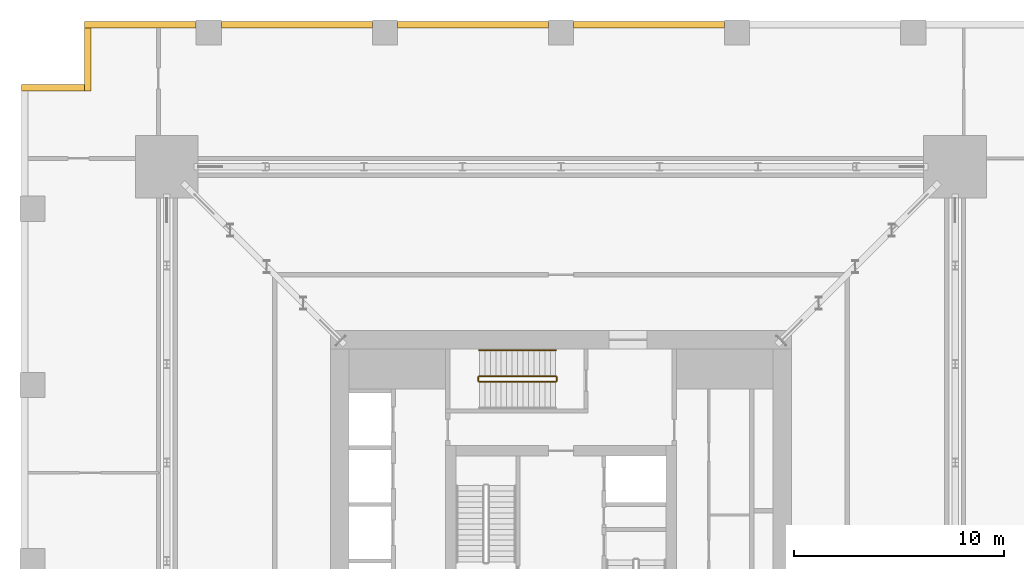
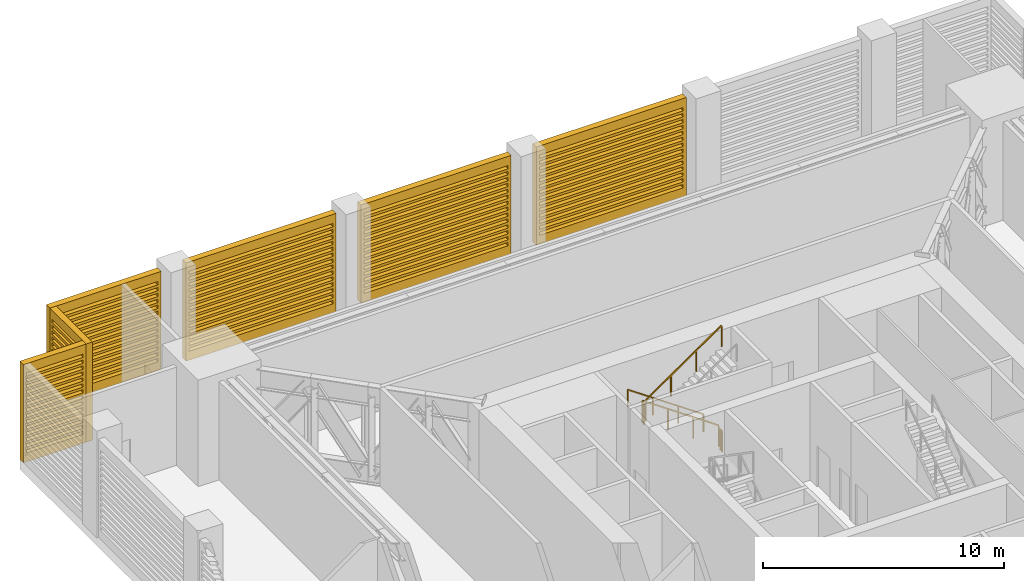
# One storey, part 16 of 17: 6 shading devices, 5 railings.
"""IFC4 building model written with IfcOpenShell, lengths in metres."""

from ifc_helpers import new_model, si_unit, direction, frame, origin, origin_2d, place, context, subcontext, project, spatial, polyline, rectangle, outline, extrude, material, type_object, element, save


model = new_model("IFC4")

# Units and contexts
model_context = context("Model", 3, precision=1e-05, world=origin(), true_north=direction((0.0, 1.0)))
body_context = subcontext(model_context, "Body", "Model", "MODEL_VIEW")
ifc_project = project(units=[si_unit("LENGTHUNIT", "METRE"), si_unit("AREAUNIT", "SQUARE_METRE"), si_unit("VOLUMEUNIT", "CUBIC_METRE"), si_unit("PLANEANGLEUNIT", "RADIAN"), si_unit("MASSUNIT", "GRAM", prefix="KILO")], contexts=[model_context])

# Site, building, storey
site_placement = place(None, origin())
site = spatial("IfcSite", under=ifc_project, at=site_placement, CompositionType="ELEMENT")
building_placement = place(site_placement, origin())
building = spatial("IfcBuilding", under=site, at=building_placement, Name="Khepri Terraces", CompositionType="ELEMENT")
storey_placement = place(building_placement, frame((0.0, 0.0, 73.800048828125)))
storey = spatial("IfcBuildingStorey", under=building, at=storey_placement, Name="L17", CompositionType="ELEMENT", Elevation=73.800048828125)

# Shading devices
ifc_material_1 = material(Name="Anodised aluminium bronze", Category="aluminium")
shading_device_type = type_object("IfcShadingDeviceType", Name="LVR-PLANT-300", PredefinedType="USERDEFINED", material=ifc_material_1)
shading_device_1_placement = place(storey_placement, frame((7.800048828125, 25.419921875, 0.0), z_axis=(0.0, 1.0, 0.0), x_axis=(-1.0, 0.0, 0.0)))
element("IfcShadingDevice", 1, at=shading_device_1_placement, inside=storey, type_object=shading_device_type, Name="Louvre wall L17 N", ObjectType="LOUVRE", PredefinedType="USERDEFINED", context=body_context, shape_type="SweptSolid", body=[
    extrude(outline(polyline([(0.0, 0.0), (7.199951171875, 0.0), (7.199951171875, 4.97998046875), (0.0, 4.97998046875), (0.0, 0.0)]), holes=[polyline([(0.14990234375, 0.449951171875), (7.050048828125, 0.449951171875), (7.050048828125, 0.6201171875), (0.14990234375, 0.6201171875), (0.14990234375, 0.449951171875)]), polyline([(0.14990234375, 0.75), (7.050048828125, 0.75), (7.050048828125, 0.919921875), (0.14990234375, 0.919921875), (0.14990234375, 0.75)]), polyline([(0.14990234375, 1.050048828125), (7.050048828125, 1.050048828125), (7.050048828125, 1.219970703125), (0.14990234375, 1.219970703125), (0.14990234375, 1.050048828125)]), polyline([(0.14990234375, 1.35009765625), (7.050048828125, 1.35009765625), (7.050048828125, 1.52001953125), (0.14990234375, 1.52001953125), (0.14990234375, 1.35009765625)]), polyline([(0.14990234375, 1.64990234375), (7.050048828125, 1.64990234375), (7.050048828125, 1.820068359375), (0.14990234375, 1.820068359375), (0.14990234375, 1.64990234375)]), polyline([(0.14990234375, 1.949951171875), (7.050048828125, 1.949951171875), (7.050048828125, 2.1201171875), (0.14990234375, 2.1201171875), (0.14990234375, 1.949951171875)]), polyline([(0.14990234375, 2.25), (7.050048828125, 2.25), (7.050048828125, 2.419921875), (0.14990234375, 2.419921875), (0.14990234375, 2.25)]), polyline([(0.14990234375, 2.550048828125), (7.050048828125, 2.550048828125), (7.050048828125, 2.719970703125), (0.14990234375, 2.719970703125), (0.14990234375, 2.550048828125)]), polyline([(0.14990234375, 2.85009765625), (7.050048828125, 2.85009765625), (7.050048828125, 3.02001953125), (0.14990234375, 3.02001953125), (0.14990234375, 2.85009765625)]), polyline([(0.14990234375, 3.14990234375), (7.050048828125, 3.14990234375), (7.050048828125, 3.320068359375), (0.14990234375, 3.320068359375), (0.14990234375, 3.14990234375)]), polyline([(0.14990234375, 3.449951171875), (7.050048828125, 3.449951171875), (7.050048828125, 3.6201171875), (0.14990234375, 3.6201171875), (0.14990234375, 3.449951171875)]), polyline([(0.14990234375, 3.75), (7.050048828125, 3.75), (7.050048828125, 3.919921875), (0.14990234375, 3.919921875), (0.14990234375, 3.75)]), polyline([(0.14990234375, 4.050048828125), (7.050048828125, 4.050048828125), (7.050048828125, 4.219970703125), (0.14990234375, 4.219970703125), (0.14990234375, 4.050048828125)]), polyline([(0.14990234375, 4.35009765625), (7.050048828125, 4.35009765625), (7.050048828125, 4.52001953125), (0.14990234375, 4.52001953125), (0.14990234375, 4.35009765625)])]), origin(), (0.0, 0.0, 1.0), 0.300048828125),
])
shading_device_2_placement = place(storey_placement, frame((-0.60009765625, 25.419921875, 0.0), z_axis=(0.0, 1.0, 0.0), x_axis=(-1.0, 0.0, 0.0)))
element("IfcShadingDevice", 2, at=shading_device_2_placement, inside=storey, type_object=shading_device_type, Name="Louvre wall L17 N", ObjectType="LOUVRE", PredefinedType="USERDEFINED", context=body_context, shape_type="SweptSolid", body=[
    extrude(outline(polyline([(0.0, 0.0), (7.199951171875, 0.0), (7.199951171875, 4.97998046875), (0.0, 4.97998046875), (0.0, 0.0)]), holes=[polyline([(0.14990234375, 0.449951171875), (7.050048828125, 0.449951171875), (7.050048828125, 0.6201171875), (0.14990234375, 0.6201171875), (0.14990234375, 0.449951171875)]), polyline([(0.14990234375, 0.75), (7.050048828125, 0.75), (7.050048828125, 0.919921875), (0.14990234375, 0.919921875), (0.14990234375, 0.75)]), polyline([(0.14990234375, 1.050048828125), (7.050048828125, 1.050048828125), (7.050048828125, 1.219970703125), (0.14990234375, 1.219970703125), (0.14990234375, 1.050048828125)]), polyline([(0.14990234375, 1.35009765625), (7.050048828125, 1.35009765625), (7.050048828125, 1.52001953125), (0.14990234375, 1.52001953125), (0.14990234375, 1.35009765625)]), polyline([(0.14990234375, 1.64990234375), (7.050048828125, 1.64990234375), (7.050048828125, 1.820068359375), (0.14990234375, 1.820068359375), (0.14990234375, 1.64990234375)]), polyline([(0.14990234375, 1.949951171875), (7.050048828125, 1.949951171875), (7.050048828125, 2.1201171875), (0.14990234375, 2.1201171875), (0.14990234375, 1.949951171875)]), polyline([(0.14990234375, 2.25), (7.050048828125, 2.25), (7.050048828125, 2.419921875), (0.14990234375, 2.419921875), (0.14990234375, 2.25)]), polyline([(0.14990234375, 2.550048828125), (7.050048828125, 2.550048828125), (7.050048828125, 2.719970703125), (0.14990234375, 2.719970703125), (0.14990234375, 2.550048828125)]), polyline([(0.14990234375, 2.85009765625), (7.050048828125, 2.85009765625), (7.050048828125, 3.02001953125), (0.14990234375, 3.02001953125), (0.14990234375, 2.85009765625)]), polyline([(0.14990234375, 3.14990234375), (7.050048828125, 3.14990234375), (7.050048828125, 3.320068359375), (0.14990234375, 3.320068359375), (0.14990234375, 3.14990234375)]), polyline([(0.14990234375, 3.449951171875), (7.050048828125, 3.449951171875), (7.050048828125, 3.6201171875), (0.14990234375, 3.6201171875), (0.14990234375, 3.449951171875)]), polyline([(0.14990234375, 3.75), (7.050048828125, 3.75), (7.050048828125, 3.919921875), (0.14990234375, 3.919921875), (0.14990234375, 3.75)]), polyline([(0.14990234375, 4.050048828125), (7.050048828125, 4.050048828125), (7.050048828125, 4.219970703125), (0.14990234375, 4.219970703125), (0.14990234375, 4.050048828125)]), polyline([(0.14990234375, 4.35009765625), (7.050048828125, 4.35009765625), (7.050048828125, 4.52001953125), (0.14990234375, 4.52001953125), (0.14990234375, 4.35009765625)])]), origin(), (0.0, 0.0, 1.0), 0.300048828125),
])
shading_device_3_placement = place(storey_placement, frame((-9.0, 25.419921875, 0.0), z_axis=(0.0, 1.0, 0.0), x_axis=(-1.0, 0.0, 0.0)))
element("IfcShadingDevice", 3, at=shading_device_3_placement, inside=storey, type_object=shading_device_type, Name="Louvre wall L17 N", ObjectType="LOUVRE", PredefinedType="USERDEFINED", context=body_context, shape_type="SweptSolid", body=[
    extrude(outline(polyline([(0.0, 0.0), (7.199951171875, 0.0), (7.199951171875, 4.97998046875), (0.0, 4.97998046875), (0.0, 0.0)]), holes=[polyline([(0.14990234375, 0.449951171875), (7.050048828125, 0.449951171875), (7.050048828125, 0.6201171875), (0.14990234375, 0.6201171875), (0.14990234375, 0.449951171875)]), polyline([(0.14990234375, 0.75), (7.050048828125, 0.75), (7.050048828125, 0.919921875), (0.14990234375, 0.919921875), (0.14990234375, 0.75)]), polyline([(0.14990234375, 1.050048828125), (7.050048828125, 1.050048828125), (7.050048828125, 1.219970703125), (0.14990234375, 1.219970703125), (0.14990234375, 1.050048828125)]), polyline([(0.14990234375, 1.35009765625), (7.050048828125, 1.35009765625), (7.050048828125, 1.52001953125), (0.14990234375, 1.52001953125), (0.14990234375, 1.35009765625)]), polyline([(0.14990234375, 1.64990234375), (7.050048828125, 1.64990234375), (7.050048828125, 1.820068359375), (0.14990234375, 1.820068359375), (0.14990234375, 1.64990234375)]), polyline([(0.14990234375, 1.949951171875), (7.050048828125, 1.949951171875), (7.050048828125, 2.1201171875), (0.14990234375, 2.1201171875), (0.14990234375, 1.949951171875)]), polyline([(0.14990234375, 2.25), (7.050048828125, 2.25), (7.050048828125, 2.419921875), (0.14990234375, 2.419921875), (0.14990234375, 2.25)]), polyline([(0.14990234375, 2.550048828125), (7.050048828125, 2.550048828125), (7.050048828125, 2.719970703125), (0.14990234375, 2.719970703125), (0.14990234375, 2.550048828125)]), polyline([(0.14990234375, 2.85009765625), (7.050048828125, 2.85009765625), (7.050048828125, 3.02001953125), (0.14990234375, 3.02001953125), (0.14990234375, 2.85009765625)]), polyline([(0.14990234375, 3.14990234375), (7.050048828125, 3.14990234375), (7.050048828125, 3.320068359375), (0.14990234375, 3.320068359375), (0.14990234375, 3.14990234375)]), polyline([(0.14990234375, 3.449951171875), (7.050048828125, 3.449951171875), (7.050048828125, 3.6201171875), (0.14990234375, 3.6201171875), (0.14990234375, 3.449951171875)]), polyline([(0.14990234375, 3.75), (7.050048828125, 3.75), (7.050048828125, 3.919921875), (0.14990234375, 3.919921875), (0.14990234375, 3.75)]), polyline([(0.14990234375, 4.050048828125), (7.050048828125, 4.050048828125), (7.050048828125, 4.219970703125), (0.14990234375, 4.219970703125), (0.14990234375, 4.050048828125)]), polyline([(0.14990234375, 4.35009765625), (7.050048828125, 4.35009765625), (7.050048828125, 4.52001953125), (0.14990234375, 4.52001953125), (0.14990234375, 4.35009765625)])]), origin(), (0.0, 0.0, 1.0), 0.300048828125),
])
shading_device_4_placement = place(storey_placement, frame((-17.39990234375, 25.419921875, 0.0), z_axis=(0.0, 1.0, 0.0), x_axis=(-1.0, 0.0, 0.0)))
element("IfcShadingDevice", 4, at=shading_device_4_placement, inside=storey, type_object=shading_device_type, Name="Louvre wall L17 N", ObjectType="LOUVRE", PredefinedType="USERDEFINED", context=body_context, shape_type="SweptSolid", body=[
    extrude(outline(polyline([(0.0, 0.0), (5.320068359375, 0.0), (5.320068359375, 4.97998046875), (0.0, 4.97998046875), (0.0, 0.0)]), holes=[polyline([(0.14990234375, 0.449951171875), (5.169921875, 0.449951171875), (5.169921875, 0.6201171875), (0.14990234375, 0.6201171875), (0.14990234375, 0.449951171875)]), polyline([(0.14990234375, 0.75), (5.169921875, 0.75), (5.169921875, 0.919921875), (0.14990234375, 0.919921875), (0.14990234375, 0.75)]), polyline([(0.14990234375, 1.050048828125), (5.169921875, 1.050048828125), (5.169921875, 1.219970703125), (0.14990234375, 1.219970703125), (0.14990234375, 1.050048828125)]), polyline([(0.14990234375, 1.35009765625), (5.169921875, 1.35009765625), (5.169921875, 1.52001953125), (0.14990234375, 1.52001953125), (0.14990234375, 1.35009765625)]), polyline([(0.14990234375, 1.64990234375), (5.169921875, 1.64990234375), (5.169921875, 1.820068359375), (0.14990234375, 1.820068359375), (0.14990234375, 1.64990234375)]), polyline([(0.14990234375, 1.949951171875), (5.169921875, 1.949951171875), (5.169921875, 2.1201171875), (0.14990234375, 2.1201171875), (0.14990234375, 1.949951171875)]), polyline([(0.14990234375, 2.25), (5.169921875, 2.25), (5.169921875, 2.419921875), (0.14990234375, 2.419921875), (0.14990234375, 2.25)]), polyline([(0.14990234375, 2.550048828125), (5.169921875, 2.550048828125), (5.169921875, 2.719970703125), (0.14990234375, 2.719970703125), (0.14990234375, 2.550048828125)]), polyline([(0.14990234375, 2.85009765625), (5.169921875, 2.85009765625), (5.169921875, 3.02001953125), (0.14990234375, 3.02001953125), (0.14990234375, 2.85009765625)]), polyline([(0.14990234375, 3.14990234375), (5.169921875, 3.14990234375), (5.169921875, 3.320068359375), (0.14990234375, 3.320068359375), (0.14990234375, 3.14990234375)]), polyline([(0.14990234375, 3.449951171875), (5.169921875, 3.449951171875), (5.169921875, 3.6201171875), (0.14990234375, 3.6201171875), (0.14990234375, 3.449951171875)]), polyline([(0.14990234375, 3.75), (5.169921875, 3.75), (5.169921875, 3.919921875), (0.14990234375, 3.919921875), (0.14990234375, 3.75)]), polyline([(0.14990234375, 4.050048828125), (5.169921875, 4.050048828125), (5.169921875, 4.219970703125), (0.14990234375, 4.219970703125), (0.14990234375, 4.050048828125)]), polyline([(0.14990234375, 4.35009765625), (5.169921875, 4.35009765625), (5.169921875, 4.52001953125), (0.14990234375, 4.52001953125), (0.14990234375, 4.35009765625)])]), origin(), (0.0, 0.0, 1.0), 0.300048828125),
])
shading_device_5_placement = place(storey_placement, frame((-22.419921875, 25.419921875, 0.0), z_axis=(-1.0, 0.0, 0.0), x_axis=(0.0, -1.0, 0.0)))
element("IfcShadingDevice", 5, at=shading_device_5_placement, inside=storey, type_object=shading_device_type, Name="Louvre wall L17 W", ObjectType="LOUVRE", PredefinedType="USERDEFINED", context=body_context, shape_type="SweptSolid", body=[
    extrude(outline(polyline([(0.0, 0.0), (3.0, 0.0), (3.0, 4.97998046875), (0.0, 4.97998046875), (0.0, 0.0)]), holes=[polyline([(0.14990234375, 0.449951171875), (2.85009765625, 0.449951171875), (2.85009765625, 0.6201171875), (0.14990234375, 0.6201171875), (0.14990234375, 0.449951171875)]), polyline([(0.14990234375, 0.75), (2.85009765625, 0.75), (2.85009765625, 0.919921875), (0.14990234375, 0.919921875), (0.14990234375, 0.75)]), polyline([(0.14990234375, 1.050048828125), (2.85009765625, 1.050048828125), (2.85009765625, 1.219970703125), (0.14990234375, 1.219970703125), (0.14990234375, 1.050048828125)]), polyline([(0.14990234375, 1.35009765625), (2.85009765625, 1.35009765625), (2.85009765625, 1.52001953125), (0.14990234375, 1.52001953125), (0.14990234375, 1.35009765625)]), polyline([(0.14990234375, 1.64990234375), (2.85009765625, 1.64990234375), (2.85009765625, 1.820068359375), (0.14990234375, 1.820068359375), (0.14990234375, 1.64990234375)]), polyline([(0.14990234375, 1.949951171875), (2.85009765625, 1.949951171875), (2.85009765625, 2.1201171875), (0.14990234375, 2.1201171875), (0.14990234375, 1.949951171875)]), polyline([(0.14990234375, 2.25), (2.85009765625, 2.25), (2.85009765625, 2.419921875), (0.14990234375, 2.419921875), (0.14990234375, 2.25)]), polyline([(0.14990234375, 2.550048828125), (2.85009765625, 2.550048828125), (2.85009765625, 2.719970703125), (0.14990234375, 2.719970703125), (0.14990234375, 2.550048828125)]), polyline([(0.14990234375, 2.85009765625), (2.85009765625, 2.85009765625), (2.85009765625, 3.02001953125), (0.14990234375, 3.02001953125), (0.14990234375, 2.85009765625)]), polyline([(0.14990234375, 3.14990234375), (2.85009765625, 3.14990234375), (2.85009765625, 3.320068359375), (0.14990234375, 3.320068359375), (0.14990234375, 3.14990234375)]), polyline([(0.14990234375, 3.449951171875), (2.85009765625, 3.449951171875), (2.85009765625, 3.6201171875), (0.14990234375, 3.6201171875), (0.14990234375, 3.449951171875)]), polyline([(0.14990234375, 3.75), (2.85009765625, 3.75), (2.85009765625, 3.919921875), (0.14990234375, 3.919921875), (0.14990234375, 3.75)]), polyline([(0.14990234375, 4.050048828125), (2.85009765625, 4.050048828125), (2.85009765625, 4.219970703125), (0.14990234375, 4.219970703125), (0.14990234375, 4.050048828125)]), polyline([(0.14990234375, 4.35009765625), (2.85009765625, 4.35009765625), (2.85009765625, 4.52001953125), (0.14990234375, 4.52001953125), (0.14990234375, 4.35009765625)])]), origin(), (0.0, 0.0, 1.0), 0.300048828125),
])
shading_device_6_placement = place(storey_placement, frame((-22.719970703125, 22.419921875, 0.0), z_axis=(0.0, 1.0, 0.0), x_axis=(-1.0, 0.0, 0.0)))
element("IfcShadingDevice", 6, at=shading_device_6_placement, inside=storey, type_object=shading_device_type, Name="Louvre wall L17 N", ObjectType="LOUVRE", PredefinedType="USERDEFINED", context=body_context, shape_type="SweptSolid", body=[
    extrude(outline(polyline([(0.0, 0.0), (3.0, 0.0), (3.0, 4.97998046875), (0.0, 4.97998046875), (0.0, 0.0)]), holes=[polyline([(0.14990234375, 0.449951171875), (2.85009765625, 0.449951171875), (2.85009765625, 0.6201171875), (0.14990234375, 0.6201171875), (0.14990234375, 0.449951171875)]), polyline([(0.14990234375, 0.75), (2.85009765625, 0.75), (2.85009765625, 0.919921875), (0.14990234375, 0.919921875), (0.14990234375, 0.75)]), polyline([(0.14990234375, 1.050048828125), (2.85009765625, 1.050048828125), (2.85009765625, 1.219970703125), (0.14990234375, 1.219970703125), (0.14990234375, 1.050048828125)]), polyline([(0.14990234375, 1.35009765625), (2.85009765625, 1.35009765625), (2.85009765625, 1.52001953125), (0.14990234375, 1.52001953125), (0.14990234375, 1.35009765625)]), polyline([(0.14990234375, 1.64990234375), (2.85009765625, 1.64990234375), (2.85009765625, 1.820068359375), (0.14990234375, 1.820068359375), (0.14990234375, 1.64990234375)]), polyline([(0.14990234375, 1.949951171875), (2.85009765625, 1.949951171875), (2.85009765625, 2.1201171875), (0.14990234375, 2.1201171875), (0.14990234375, 1.949951171875)]), polyline([(0.14990234375, 2.25), (2.85009765625, 2.25), (2.85009765625, 2.419921875), (0.14990234375, 2.419921875), (0.14990234375, 2.25)]), polyline([(0.14990234375, 2.550048828125), (2.85009765625, 2.550048828125), (2.85009765625, 2.719970703125), (0.14990234375, 2.719970703125), (0.14990234375, 2.550048828125)]), polyline([(0.14990234375, 2.85009765625), (2.85009765625, 2.85009765625), (2.85009765625, 3.02001953125), (0.14990234375, 3.02001953125), (0.14990234375, 2.85009765625)]), polyline([(0.14990234375, 3.14990234375), (2.85009765625, 3.14990234375), (2.85009765625, 3.320068359375), (0.14990234375, 3.320068359375), (0.14990234375, 3.14990234375)]), polyline([(0.14990234375, 3.449951171875), (2.85009765625, 3.449951171875), (2.85009765625, 3.6201171875), (0.14990234375, 3.6201171875), (0.14990234375, 3.449951171875)]), polyline([(0.14990234375, 3.75), (2.85009765625, 3.75), (2.85009765625, 3.919921875), (0.14990234375, 3.919921875), (0.14990234375, 3.75)]), polyline([(0.14990234375, 4.050048828125), (2.85009765625, 4.050048828125), (2.85009765625, 4.219970703125), (0.14990234375, 4.219970703125), (0.14990234375, 4.050048828125)]), polyline([(0.14990234375, 4.35009765625), (2.85009765625, 4.35009765625), (2.85009765625, 4.52001953125), (0.14990234375, 4.52001953125), (0.14990234375, 4.35009765625)])]), origin(), (0.0, 0.0, 1.0), 0.300048828125),
])

# Railings
ifc_material_2 = material(Name="Stainless steel 316", Category="steel")
railing_type_1 = type_object("IfcRailingType", Name="RL-CORE-GUARD", PredefinedType="GUARDRAIL", material=ifc_material_2)
railing_1_placement = place(storey_placement, frame((-0.25, 8.800048828125, 0.179931640625)))
element("IfcRailing", 7, at=railing_1_placement, inside=storey, type_object=railing_type_1, Name="L17 ST-3 stair guard 1", PredefinedType="GUARDRAIL", context=body_context, shape_type="SweptSolid", body=[
    extrude(rectangle(XDim=0.050048828125, YDim=0.06005859375, at=origin_2d()), frame((0.0, 0.0, 1.070068359375), z_axis=(-0.822182265111, 0.0, 0.569224316888), x_axis=(0.0, -1.0, 0.0)), (0.0, 0.0, 1.0), 4.427001953125),
    extrude(rectangle(XDim=0.050048828125, YDim=0.050048828125, at=origin_2d()), origin(), (0.0, 0.0, 1.0), 1.0400390625),
    extrude(rectangle(XDim=0.050048828125, YDim=0.050048828125, at=origin_2d()), frame((-1.21337890625, 0.0, 0.840087890625)), (0.0, 0.0, 1.0), 1.0400390625),
    extrude(rectangle(XDim=0.050048828125, YDim=0.050048828125, at=origin_2d()), frame((-2.426513671875, 0.0, 1.679931640625)), (0.0, 0.0, 1.0), 1.0400390625),
    extrude(rectangle(XDim=0.050048828125, YDim=0.050048828125, at=origin_2d()), frame((-3.639892578125, 0.0, 2.52001953125)), (0.0, 0.0, 1.0), 1.0400390625),
])
railing_2_placement = place(storey_placement, frame((-3.93994140625, 8.75, 2.699951171875)))
element("IfcRailing", 8, at=railing_2_placement, inside=storey, type_object=railing_type_1, Name="L17 ST-3 stair guard 2", PredefinedType="GUARDRAIL", context=body_context, shape_type="SweptSolid", body=[
    extrude(rectangle(XDim=0.050048828125, YDim=0.06005859375, at=origin_2d()), frame((0.0, 0.0, 1.070068359375), z_axis=(0.0, -1.0, 0.0), x_axis=(1.0, 0.0, 0.0)), (0.0, 0.0, 1.0), 0.14990234375),
    extrude(rectangle(XDim=0.050048828125, YDim=0.050048828125, at=origin_2d()), origin(), (0.0, 0.0, 1.0), 1.0400390625),
    extrude(rectangle(XDim=0.050048828125, YDim=0.050048828125, at=origin_2d()), frame((0.0, -0.14990234375, 0.0)), (0.0, 0.0, 1.0), 1.0400390625),
])
railing_3_placement = place(storey_placement, frame((-3.889892578125, 8.550048828125, 2.8798828125)))
element("IfcRailing", 9, at=railing_3_placement, inside=storey, type_object=railing_type_1, Name="L17 ST-3 stair guard 3", PredefinedType="GUARDRAIL", context=body_context, shape_type="SweptSolid", body=[
    extrude(rectangle(XDim=0.050048828125, YDim=0.06005859375, at=origin_2d()), frame((0.0, 0.0, 1.070068359375), z_axis=(0.822182265111, 0.0, 0.569224316888), x_axis=(0.0, 1.0, 0.0)), (0.0, 0.0, 1.0), 4.427001953125),
    extrude(rectangle(XDim=0.050048828125, YDim=0.050048828125, at=origin_2d()), origin(), (0.0, 0.0, 1.0), 1.0400390625),
    extrude(rectangle(XDim=0.050048828125, YDim=0.050048828125, at=origin_2d()), frame((1.21337890625, 0.0, 0.840087890625)), (0.0, 0.0, 1.0), 1.0400390625),
    extrude(rectangle(XDim=0.050048828125, YDim=0.050048828125, at=origin_2d()), frame((2.426513671875, 0.0, 1.679931640625)), (0.0, 0.0, 1.0), 1.0400390625),
    extrude(rectangle(XDim=0.050048828125, YDim=0.050048828125, at=origin_2d()), frame((3.639892578125, 0.0, 2.52001953125)), (0.0, 0.0, 1.0), 1.0400390625),
])
railing_4_placement = place(storey_placement, frame((-0.199951171875, 8.75, 0.0)))
element("IfcRailing", 10, at=railing_4_placement, inside=storey, type_object=railing_type_1, Name="L17 ST-3 stair guard 4", PredefinedType="GUARDRAIL", context=body_context, shape_type="SweptSolid", body=[
    extrude(rectangle(XDim=0.050048828125, YDim=0.06005859375, at=origin_2d()), frame((0.0, 0.0, 1.070068359375), z_axis=(0.0, -1.0, 0.0), x_axis=(1.0, 0.0, 0.0)), (0.0, 0.0, 1.0), 0.14990234375),
    extrude(rectangle(XDim=0.050048828125, YDim=0.050048828125, at=origin_2d()), origin(), (0.0, 0.0, 1.0), 1.0400390625),
    extrude(rectangle(XDim=0.050048828125, YDim=0.050048828125, at=origin_2d()), frame((0.0, -0.14990234375, 0.0)), (0.0, 0.0, 1.0), 1.0400390625),
])
railing_type_2 = type_object("IfcRailingType", Name="RL-CORE-HANDRAIL", PredefinedType="HANDRAIL", material=ifc_material_2)
railing_5_placement = place(storey_placement, frame((-0.25, 10.050048828125, 0.179931640625)))
element("IfcRailing", 11, at=railing_5_placement, inside=storey, type_object=railing_type_2, Name="L17 ST-3 stair handrail 1", PredefinedType="HANDRAIL", context=body_context, shape_type="SweptSolid", body=[
    extrude(rectangle(XDim=0.050048828125, YDim=0.050048828125, at=origin_2d()), frame((0.0, 0.0, 0.875), z_axis=(-0.822182265111, 0.0, 0.569224316888), x_axis=(0.0, -1.0, 0.0)), (0.0, 0.0, 1.0), 4.427001953125),
    extrude(rectangle(XDim=0.050048828125, YDim=0.050048828125, at=origin_2d()), origin(), (0.0, 0.0, 1.0), 0.849853515625),
    extrude(rectangle(XDim=0.050048828125, YDim=0.050048828125, at=origin_2d()), frame((-1.21337890625, 0.0, 0.840087890625)), (0.0, 0.0, 1.0), 0.849853515625),
    extrude(rectangle(XDim=0.050048828125, YDim=0.050048828125, at=origin_2d()), frame((-2.426513671875, 0.0, 1.679931640625)), (0.0, 0.0, 1.0), 0.849853515625),
    extrude(rectangle(XDim=0.050048828125, YDim=0.050048828125, at=origin_2d()), frame((-3.639892578125, 0.0, 2.52001953125)), (0.0, 0.0, 1.0), 0.849853515625),
])

save(model, "model.ifc")
